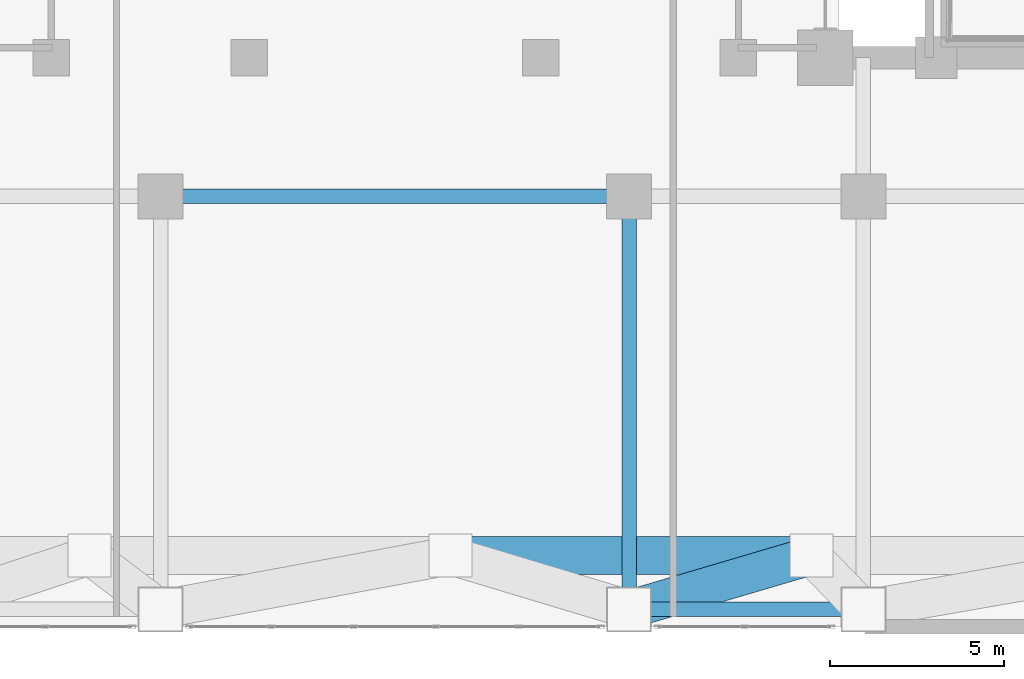
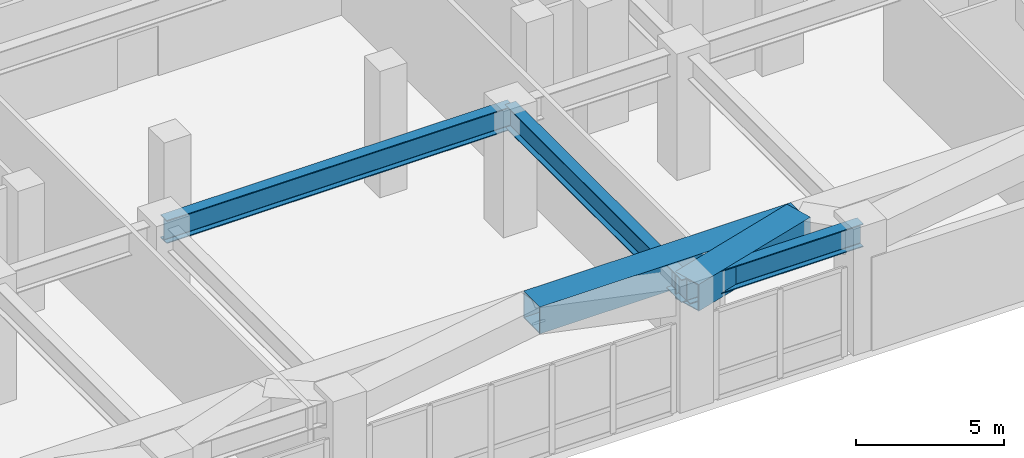
# One storey, part 5 of 20: 5 beams.
"""IFC4 building model written with IfcOpenShell, lengths in metres."""

from ifc_helpers import new_model, si_unit, direction, frame, origin, origin_2d, place, context, subcontext, project, spatial, hollow_rectangle, i_section, extrude, material, material_profile, profile_set, type_object, element, save


model = new_model("IFC4")

# Units and contexts
model_context = context("Model", 3, precision=1e-05, world=origin(), true_north=direction((0.0, 1.0)))
body_context = subcontext(model_context, "Body", "Model", "MODEL_VIEW")
ifc_project = project(units=[si_unit("LENGTHUNIT", "METRE"), si_unit("AREAUNIT", "SQUARE_METRE"), si_unit("VOLUMEUNIT", "CUBIC_METRE"), si_unit("PLANEANGLEUNIT", "RADIAN"), si_unit("MASSUNIT", "GRAM", prefix="KILO")], contexts=[model_context])

# Site, building, storey
site_placement = place(None, origin())
site = spatial("IfcSite", under=ifc_project, at=site_placement, CompositionType="ELEMENT")
building_placement = place(site_placement, origin())
building = spatial("IfcBuilding", under=site, at=building_placement, Name="Voryun Gate Residences", CompositionType="ELEMENT")
storey_placement = place(building_placement, frame((0.0, 0.0, 20.800048828125)))
storey = spatial("IfcBuildingStorey", under=building, at=storey_placement, Name="L04", CompositionType="ELEMENT", Elevation=20.800048828125)

# Beams
ifc_material_1 = material(Name="Steel SM420", Category="steel")
ifc_material_profile_1 = material_profile(ifc_material_1, hollow_rectangle(XDim=1.10009765625, YDim=1.10009765625, WallThickness=0.035888671875, at=origin_2d()), Name="BOX-1100x1100x36")
ifc_profile_set_1 = profile_set([ifc_material_profile_1], Name="Steel SM420")
beam_type_1 = type_object("IfcBeamType", Name="BM_ARCH_RIB", PredefinedType="USERDEFINED", material=ifc_profile_set_1)
beam_1_placement = place(storey_placement, frame((1.60009765625, -21.75, 4.39990234375), z_axis=(1.0, 0.0, 0.0), x_axis=(0.0, 1.0, 0.0)))
element("IfcBeam", 1, at=beam_1_placement, inside=storey, type_object=beam_type_1, Name="BM-L04-B1RING-04", ObjectType="GIRDER", PredefinedType="USERDEFINED", context=body_context, shape_type="SweptSolid", body=[
    extrude(hollow_rectangle(XDim=1.10009765625, YDim=1.10009765625, WallThickness=0.035888671875, at=origin_2d()), origin(), (0.0, 0.0, 1.0), 10.39990234375),
])
beam_2_placement = place(storey_placement, frame((6.75, -23.300048828125, 4.39990234375), z_axis=(0.959071676402, 0.283163414875, 0.0), x_axis=(-0.283163414875, 0.959071676402, 0.0)))
element("IfcBeam", 2, at=beam_2_placement, inside=storey, type_object=beam_type_1, Name="BM-L04-B1RAD2-S5", ObjectType="GIRDER", PredefinedType="USERDEFINED", context=body_context, shape_type="SweptSolid", body=[
    extrude(hollow_rectangle(XDim=1.10009765625, YDim=1.10009765625, WallThickness=0.035888671875, at=origin_2d()), origin(), (0.0, 0.0, 1.0), 5.47412109375),
])
ifc_material_2 = material(Name="Steel SM420", Category="steel")
ifc_material_profile_2 = material_profile(ifc_material_2, i_section(OverallWidth=0.419921875, OverallDepth=0.949951171875, WebThickness=0.02001953125, FlangeThickness=0.035888671875, FilletRadius=0.01806640625, at=origin_2d()), Name="H-950x420x20x36")
ifc_profile_set_2 = profile_set([ifc_material_profile_2], Name="Steel SM420")
beam_type_2 = type_object("IfcBeamType", Name="BM_XFER_950", PredefinedType="USERDEFINED", material=ifc_profile_set_2)
beam_3_placement = place(storey_placement, frame((6.75, -23.300048828125, 4.474853515625), z_axis=(1.0, 0.0, 0.0), x_axis=(0.0, 1.0, 0.0)))
element("IfcBeam", 3, at=beam_3_placement, inside=storey, type_object=beam_type_2, Name="BM-L04-GX--23.3-4", ObjectType="GIRDER", PredefinedType="USERDEFINED", context=body_context, shape_type="SweptSolid", body=[
    extrude(i_section(OverallWidth=0.419921875, OverallDepth=0.949951171875, WebThickness=0.02001953125, FlangeThickness=0.035888671875, FilletRadius=0.01806640625, at=origin_2d()), origin(), (0.0, 0.0, 1.0), 6.75),
])
beam_4_placement = place(storey_placement, frame((-6.75, -11.39990234375, 4.474853515625), z_axis=(1.0, 0.0, 0.0), x_axis=(0.0, 1.0, 0.0)))
element("IfcBeam", 4, at=beam_4_placement, inside=storey, type_object=beam_type_2, Name="BM-L04-GX--11.4-3", ObjectType="GIRDER", PredefinedType="USERDEFINED", context=body_context, shape_type="SweptSolid", body=[
    extrude(i_section(OverallWidth=0.419921875, OverallDepth=0.949951171875, WebThickness=0.02001953125, FlangeThickness=0.035888671875, FilletRadius=0.01806640625, at=origin_2d()), origin(), (0.0, 0.0, 1.0), 13.5),
])
beam_5_placement = place(storey_placement, frame((6.75, -23.300048828125, 4.474853515625), z_axis=(0.0, 1.0, 0.0), x_axis=(-1.0, 0.0, 0.0)))
element("IfcBeam", 5, at=beam_5_placement, inside=storey, type_object=beam_type_2, Name="BM-L04-GYM-+6.75--23.3", ObjectType="GIRDER", PredefinedType="USERDEFINED", context=body_context, shape_type="SweptSolid", body=[
    extrude(i_section(OverallWidth=0.419921875, OverallDepth=0.949951171875, WebThickness=0.02001953125, FlangeThickness=0.035888671875, FilletRadius=0.01806640625, at=origin_2d()), origin(), (0.0, 0.0, 1.0), 11.900146484375),
])

save(model, "model.ifc")
